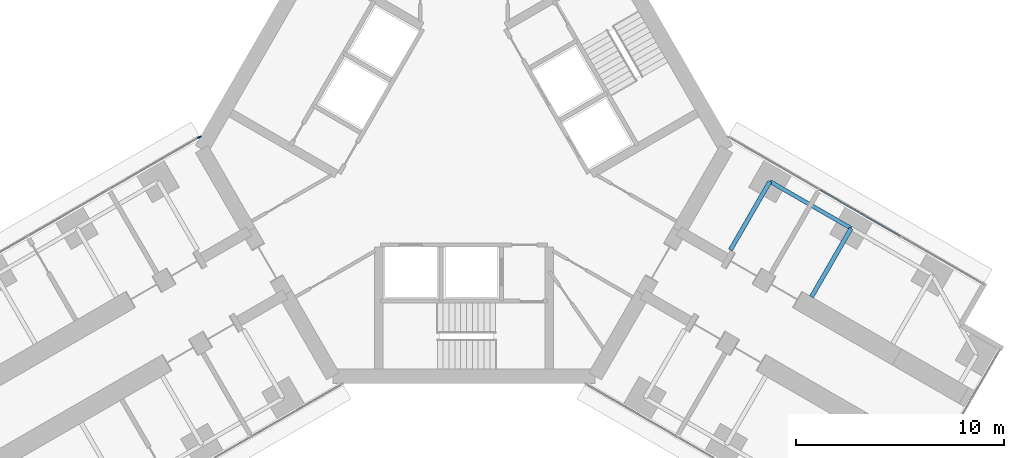
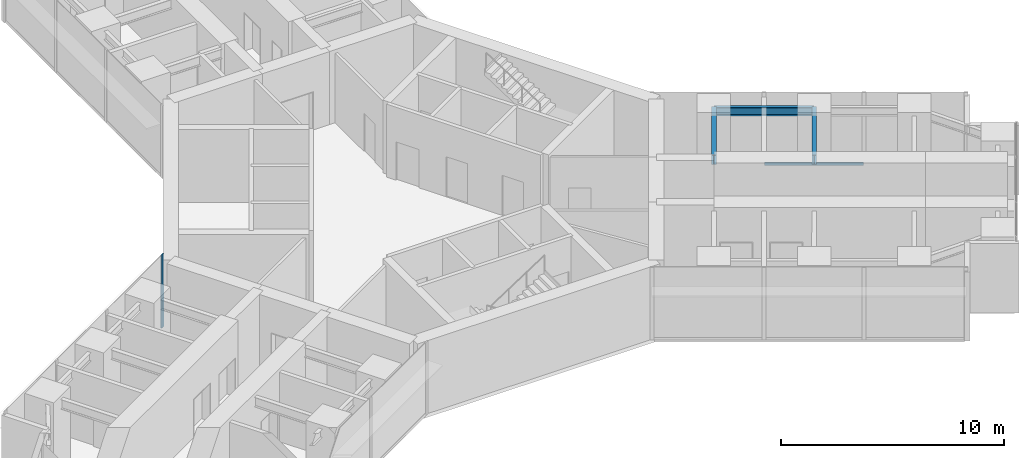
# One storey, part 10 of 22: 3 beams, 2 members, 2 elements without a shape of their own.
"""IFC4 building model written with IfcOpenShell, lengths in metres."""

import ifcopenshell
import ifcopenshell.guid

model = None  # the IFC model being written
_history = None  # IfcOwnerHistory: only IFC2X3 demands one
_inside = {}  # id of a spatial element -> (the spatial element, [elements in it])
_under = {}  # id of a project, library or spatial element -> (it, [spatial elements below it])
_declared = {}  # id of a project -> (the project, [libraries it declares])
_typed = {}  # id of a type object -> (the type object, [elements of that type])
_made_of = {}  # id of a material, layer set ... -> (it, [elements and type objects made of it])


def new_model(schema):
    """Start an empty IFC model of exactly this schema.

    Asked for "IFC4X3", IfcOpenShell would pick the latest addendum, in which some entities
    have other attributes; the version numbers below select the first issue.
    IFC2X3 requires an IfcOwnerHistory on every rooted entity: one is made here for all.
    """
    global model, _history
    if schema == "IFC4X3":
        model = ifcopenshell.file(schema_version=(4, 3, 0, 0))
    else:
        model = ifcopenshell.file(schema=schema)
    _inside.clear()
    _under.clear()
    _declared.clear()
    _typed.clear()
    _made_of.clear()
    _history = None
    if model.schema == "IFC2X3":
        org = make("IfcOrganization", Name="unknown")
        user = make(
            "IfcPersonAndOrganization",
            ThePerson=make("IfcPerson", FamilyName="unknown"),
            TheOrganization=org,
        )
        app = make(
            "IfcApplication",
            ApplicationDeveloper=org,
            Version="unknown",
            ApplicationFullName="unknown",
            ApplicationIdentifier="unknown",
        )
        _history = make(
            "IfcOwnerHistory",
            OwningUser=user,
            OwningApplication=app,
            ChangeAction="ADDED",
            CreationDate=0,
        )
    return model


def make(cls, **values):
    """One entity of the class cls with the attributes given. An attribute that is None is left unset."""
    return model.create_entity(
        cls, **{name: value for name, value in values.items() if value is not None}
    )


def rooted(cls, **values):
    """An entity with a GlobalId (a new one), such as an element, a storey or a relation."""
    return make(cls, GlobalId=ifcopenshell.guid.new(), OwnerHistory=_history, **values)


def si_unit(unit_type, name, prefix=None):
    """IfcSIUnit, for example si_unit("LENGTHUNIT", "METRE", prefix="MILLI")."""
    return make("IfcSIUnit", UnitType=unit_type, Prefix=prefix, Name=name)


def assignment(units):
    """IfcUnitAssignment: the units of a project."""
    return None if units is None else make("IfcUnitAssignment", Units=units)


def point(xyz):
    """IfcCartesianPoint."""
    return None if xyz is None else make("IfcCartesianPoint", Coordinates=xyz)


def direction(xyz):
    """IfcDirection."""
    return None if xyz is None else make("IfcDirection", DirectionRatios=xyz)


def frame(location, z_axis=None, x_axis=None):
    """IfcAxis2Placement3D, a coordinate frame: its origin and axes. An axis left out is left unset."""
    return make(
        "IfcAxis2Placement3D",
        Location=point(location),
        Axis=direction(z_axis),
        RefDirection=direction(x_axis),
    )


def frame_2d(location, x_axis=None):
    """IfcAxis2Placement2D, a coordinate frame in the plane: its origin and x axis."""
    return make(
        "IfcAxis2Placement2D", Location=point(location), RefDirection=direction(x_axis)
    )


def origin():
    """The frame at (0, 0, 0) with its axes left unset."""
    return frame((0.0, 0.0, 0.0))


def origin_2d():
    """The frame at (0, 0) in the plane with its x axis left unset."""
    return frame_2d((0.0, 0.0))


def place(relative_to, where):
    """IfcLocalPlacement: puts the frame where relative to a parent placement (None: the world)."""
    return make(
        "IfcLocalPlacement", PlacementRelTo=relative_to, RelativePlacement=where
    )


def context(
    kind, dimensions, precision=None, world=None, true_north=None, identifier=None
):
    """IfcGeometricRepresentationContext, for example the 3D "Model" context."""
    return make(
        "IfcGeometricRepresentationContext",
        ContextIdentifier=identifier,
        ContextType=kind,
        CoordinateSpaceDimension=dimensions,
        Precision=precision,
        WorldCoordinateSystem=world,
        TrueNorth=true_north,
    )


def subcontext(parent, identifier, kind, view, scale=None):
    """IfcGeometricRepresentationSubContext, for example "Body" below "Model"."""
    return make(
        "IfcGeometricRepresentationSubContext",
        ContextIdentifier=identifier,
        ContextType=kind,
        ParentContext=parent,
        TargetScale=scale,
        TargetView=view,
    )


def project(units=None, contexts=None):
    """IfcProject with its units and contexts."""
    return rooted(
        "IfcProject",
        Name="project",
        RepresentationContexts=contexts,
        UnitsInContext=assignment(units),
    )


def spatial(cls, under=None, at=None, **own):
    """A site, building, storey or space (cls), placed at a placement, below another one or the project."""
    s = rooted(cls, ObjectPlacement=at, **own)
    if under is not None:
        _under.setdefault(under.id(), (under, []))[1].append(s)
    return s


def profile(cls, at=None, kind="AREA", **sizes):
    """A parametric profile (cls). Its sizes go by their IFC names, for example OverallWidth=200.0."""
    return make(cls, ProfileType=kind, Position=at, **sizes)


def rectangle(**sizes):
    """IfcRectangleProfileDef."""
    return profile("IfcRectangleProfileDef", **sizes)


def i_section(**sizes):
    """IfcIShapeProfileDef."""
    return profile("IfcIShapeProfileDef", **sizes)


def extrude(swept, where, along, depth):
    """IfcExtrudedAreaSolid: the profile swept, set in the frame where, extruded along a direction by depth."""
    return make(
        "IfcExtrudedAreaSolid",
        SweptArea=swept,
        Position=where,
        ExtrudedDirection=direction(along),
        Depth=depth,
    )


def shape(context_of_items, identifier, shape_type, items):
    """IfcShapeRepresentation: the items that make up one representation, for example the "Body"."""
    return make(
        "IfcShapeRepresentation",
        ContextOfItems=context_of_items,
        RepresentationIdentifier=identifier,
        RepresentationType=shape_type,
        Items=items,
    )


def material(Name=None, Category=None):
    """IfcMaterial."""
    return make("IfcMaterial", Name=Name, Category=Category)


def material_profile(
    of_material, cross_section, Name=None, Category=None, Priority=None
):
    """IfcMaterialProfile: a cross section and its material."""
    return make(
        "IfcMaterialProfile",
        Name=Name,
        Material=of_material,
        Profile=cross_section,
        Priority=Priority,
        Category=Category,
    )


def profile_set(profiles, Name=None, composite=None):
    """IfcMaterialProfileSet."""
    return make(
        "IfcMaterialProfileSet",
        Name=Name,
        MaterialProfiles=profiles,
        CompositeProfile=composite,
    )


def made_of(thing, what):
    """Note that an element or type object is made of a material, layer set ...; save() writes the relation."""
    if what is not None:
        _made_of.setdefault(what.id(), (what, []))[1].append(thing)
    return thing


def type_object(cls, material=None, **own):
    """A type object (cls), such as IfcWallType, which elements share."""
    return made_of(rooted(cls, **own), material)


def element(
    cls,
    number,
    at=None,
    inside=None,
    cuts=None,
    type_object=None,
    material=None,
    context=None,
    identifier="Body",
    shape_type=None,
    held_by="IfcProductDefinitionShape",
    body=None,
    shapes=None,
    **own,
):
    """One element of the class cls, such as IfcWall. Its Tag is "e" and its number.

    at: its placement. inside: the storey or other place that contains it. cuts: it is an
    opening in that element (IfcRelVoidsElement). A single representation is given by context,
    identifier, shape_type and body (its items); several are given by shapes. held_by: the class
    of the entity that holds the representations. save() writes the other relations.
    """
    e = rooted(cls, Tag="e%d" % number, ObjectPlacement=at, **own)
    if body is not None:
        shapes = [shape(context, identifier, shape_type, body)]
    if shapes is not None:
        e.Representation = make(held_by, Representations=shapes)
    if inside is not None:
        _inside.setdefault(inside.id(), (inside, []))[1].append(e)
    if cuts is not None:
        rooted(
            "IfcRelVoidsElement", RelatingBuildingElement=cuts, RelatedOpeningElement=e
        )
    if type_object is not None:
        _typed.setdefault(type_object.id(), (type_object, []))[1].append(e)
    return made_of(e, material)


def aggregate(whole, parts):
    """IfcRelAggregates: a whole, such as a stair, and the parts it consists of."""
    return rooted("IfcRelAggregates", RelatingObject=whole, RelatedObjects=parts)


def save(model, path):
    """Write the relations noted so far, then the file.

    IfcRelAggregates (storeys below a building ...), IfcRelContainedInSpatialStructure (elements
    in a storey), IfcRelDefinesByType, IfcRelAssociatesMaterial and IfcRelDeclares: one each for
    every whole, place, type object, material and project.
    """
    for whole, parts in _under.values():
        aggregate(whole, parts)
    for where, things in _inside.values():
        rooted(
            "IfcRelContainedInSpatialStructure",
            RelatedElements=things,
            RelatingStructure=where,
        )
    for kind, things in _typed.values():
        rooted("IfcRelDefinesByType", RelatedObjects=things, RelatingType=kind)
    for what, things in _made_of.values():
        rooted("IfcRelAssociatesMaterial", RelatedObjects=things, RelatingMaterial=what)
    for by, libraries in _declared.values():
        rooted("IfcRelDeclares", RelatingContext=by, RelatedDefinitions=libraries)
    model.write(path)


model = new_model("IFC4")

# Units and contexts
model_context = context("Model", 3, precision=1e-05, world=origin(), true_north=direction((0.0, 1.0)))
body_context = subcontext(model_context, "Body", "Model", "MODEL_VIEW")
ifc_project = project(units=[si_unit("LENGTHUNIT", "METRE"), si_unit("AREAUNIT", "SQUARE_METRE"), si_unit("VOLUMEUNIT", "CUBIC_METRE"), si_unit("PLANEANGLEUNIT", "RADIAN"), si_unit("MASSUNIT", "GRAM", prefix="KILO")], contexts=[model_context])

# Site, building, storey
site_placement = place(None, origin())
site = spatial("IfcSite", under=ifc_project, at=site_placement, CompositionType="ELEMENT")
building_placement = place(site_placement, origin())
building = spatial("IfcBuilding", under=site, at=building_placement, Name="Upepo Twin Towers", CompositionType="ELEMENT")
storey_placement = place(building_placement, frame((0.0, 0.0, 40.5)))
storey = spatial("IfcBuildingStorey", under=building, at=storey_placement, Name="L09", CompositionType="ELEMENT", Elevation=40.5)

# Beams
ifc_material_1 = material(Name="Steel S355", Category="steel")
ifc_material_profile_1 = material_profile(ifc_material_1, i_section(OverallWidth=0.1904296875, OverallDepth=0.45703125, WebThickness=0.009033203125, FlangeThickness=0.014404296875, FilletRadius=0.01025390625, at=origin_2d()), Name="UB 457x191x74")
ifc_profile_set_1 = profile_set([ifc_material_profile_1], Name="Steel S355")
beam_type_1 = type_object("IfcBeamType", Name="Beam UB 457x191x74", PredefinedType="BEAM", material=ifc_profile_set_1)
beam_1_placement = place(storey_placement, frame((73.19140625, -19.553955078125, 3.571533203125), z_axis=(0.866017533419, -0.500013631625, 0.0), x_axis=(0.500013631625, 0.866017533419, 0.0)))
element("IfcBeam", 1, at=beam_1_placement, inside=storey, type_object=beam_type_1, Name="T2 edge beam CL 13.5-18.0", PredefinedType="BEAM", context=body_context, shape_type="SweptSolid", body=[
    extrude(i_section(OverallWidth=0.1904296875, OverallDepth=0.45703125, WebThickness=0.009033203125, FlangeThickness=0.014404296875, FilletRadius=0.01025390625, at=origin_2d()), origin(), (0.0, 0.0, 1.0), 4.499755859375),
])
ifc_material_2 = material(Name="Steel S355", Category="steel")
ifc_material_profile_2 = material_profile(ifc_material_2, i_section(OverallWidth=0.209228515625, OverallDepth=0.533203125, WebThickness=0.010009765625, FlangeThickness=0.015625, FilletRadius=0.0126953125, at=origin_2d()), Name="UB 533x210x92")
ifc_profile_set_2 = profile_set([ifc_material_profile_2], Name="Steel S355")
beam_type_2 = type_object("IfcBeamType", Name="Beam UB 533x210x92", PredefinedType="BEAM", material=ifc_profile_set_2)
beam_2_placement = place(storey_placement, frame((73.19140625, -19.553955078125, 3.533447265625), z_axis=(-0.500043160704, -0.866000483506, 0.0), x_axis=(0.866000483506, -0.500043160704, 0.0)))
element("IfcBeam", 2, at=beam_2_placement, inside=storey, type_object=beam_type_2, Name="T2 girder CL at 13.5", PredefinedType="BEAM", context=body_context, shape_type="SweptSolid", body=[
    extrude(i_section(OverallWidth=0.209228515625, OverallDepth=0.533203125, WebThickness=0.010009765625, FlangeThickness=0.015625, FilletRadius=0.0126953125, at=origin_2d()), origin(), (0.0, 0.0, 1.0), 3.800048828125),
])
beam_3_placement = place(storey_placement, frame((77.08837890625, -21.803955078125, 3.533447265625), z_axis=(-0.499994975061, -0.866028304915, 0.0), x_axis=(0.866028304915, -0.499994975061, 0.0)))
element("IfcBeam", 3, at=beam_3_placement, inside=storey, type_object=beam_type_2, Name="T2 girder CL at 18.0", PredefinedType="BEAM", context=body_context, shape_type="SweptSolid", body=[
    extrude(i_section(OverallWidth=0.209228515625, OverallDepth=0.533203125, WebThickness=0.010009765625, FlangeThickness=0.015625, FilletRadius=0.0126953125, at=origin_2d()), origin(), (0.0, 0.0, 1.0), 3.7998046875),
])

# Curtain wall, member
ifc_material_3 = material(Name="Aluminium and fritted glass", Category="aluminium")
curtain_wall_type = type_object("IfcCurtainWallType", Name="Tower curtain wall TW1, fritted glass", PredefinedType="NOTDEFINED", material=ifc_material_3)
curtain_wall_1_placement = place(storey_placement, origin())
curtain_wall_1 = element("IfcCurtainWall", 4, at=curtain_wall_1_placement, inside=storey, type_object=curtain_wall_type, Name="T2 L09 wing B flank R curtain wall", PredefinedType="NOTDEFINED")
ifc_material_4 = material(Name="Aluminium mullion", Category="aluminium")
ifc_material_profile_3 = material_profile(ifc_material_4, rectangle(XDim=0.06494140625, YDim=0.179931640625, at=origin_2d()), Name="MULLION 65x180")
ifc_profile_set_3 = profile_set([ifc_material_profile_3], Name="Aluminium mullion")
member_type_1 = type_object("IfcMemberType", Name="Mullion 65x180 TW1", PredefinedType="MULLION", material=ifc_profile_set_3)
member_1_placement = place(storey_placement, frame((45.79150390625, -17.427490234375, 0.0), z_axis=(0.0, 0.0, 1.0), x_axis=(-0.500000024426, 0.866025389682, 0.0)))
member_1 = element("IfcMember", 5, at=member_1_placement, type_object=member_type_1, Name="T2 L09 wing B flank R curtain wall mullion 4", PredefinedType="MULLION", context=body_context, shape_type="SweptSolid", body=[
    extrude(rectangle(XDim=0.06494140625, YDim=0.179931640625, at=origin_2d()), origin(), (0.0, 0.0, 1.0), 4.0),
])
aggregate(curtain_wall_1, [member_1])

curtain_wall_2_placement = place(storey_placement, origin())
curtain_wall_2 = element("IfcCurtainWall", 6, at=curtain_wall_2_placement, inside=storey, type_object=curtain_wall_type, Name="T2 L09 wing C flank L curtain wall", PredefinedType="NOTDEFINED")
ifc_material_5 = material(Name="Aluminium transom", Category="aluminium")
ifc_material_profile_4 = material_profile(ifc_material_5, rectangle(XDim=0.06494140625, YDim=0.14990234375, at=origin_2d()), Name="TRANSOM 65x150")
ifc_profile_set_4 = profile_set([ifc_material_profile_4], Name="Aluminium transom")
member_type_2 = type_object("IfcMemberType", Name="Transom 65x150 TW1", PredefinedType="USERDEFINED", material=ifc_profile_set_4)
member_2_placement = place(storey_placement, frame((75.593017578125, -19.958984375, 0.074951171875), z_axis=(0.866022410713, -0.500005184116, 0.0), x_axis=(0.500005184116, 0.866022410713, 0.0)))
member_2 = element("IfcMember", 7, at=member_2_placement, type_object=member_type_2, Name="T2 L09 wing C flank L curtain wall transom 2", ObjectType="TRANSOM", PredefinedType="USERDEFINED", context=body_context, shape_type="SweptSolid", body=[
    extrude(rectangle(XDim=0.06494140625, YDim=0.14990234375, at=origin_2d()), origin(), (0.0, 0.0, 1.0), 4.43505859375),
])
aggregate(curtain_wall_2, [member_2])

save(model, "model.ifc")
